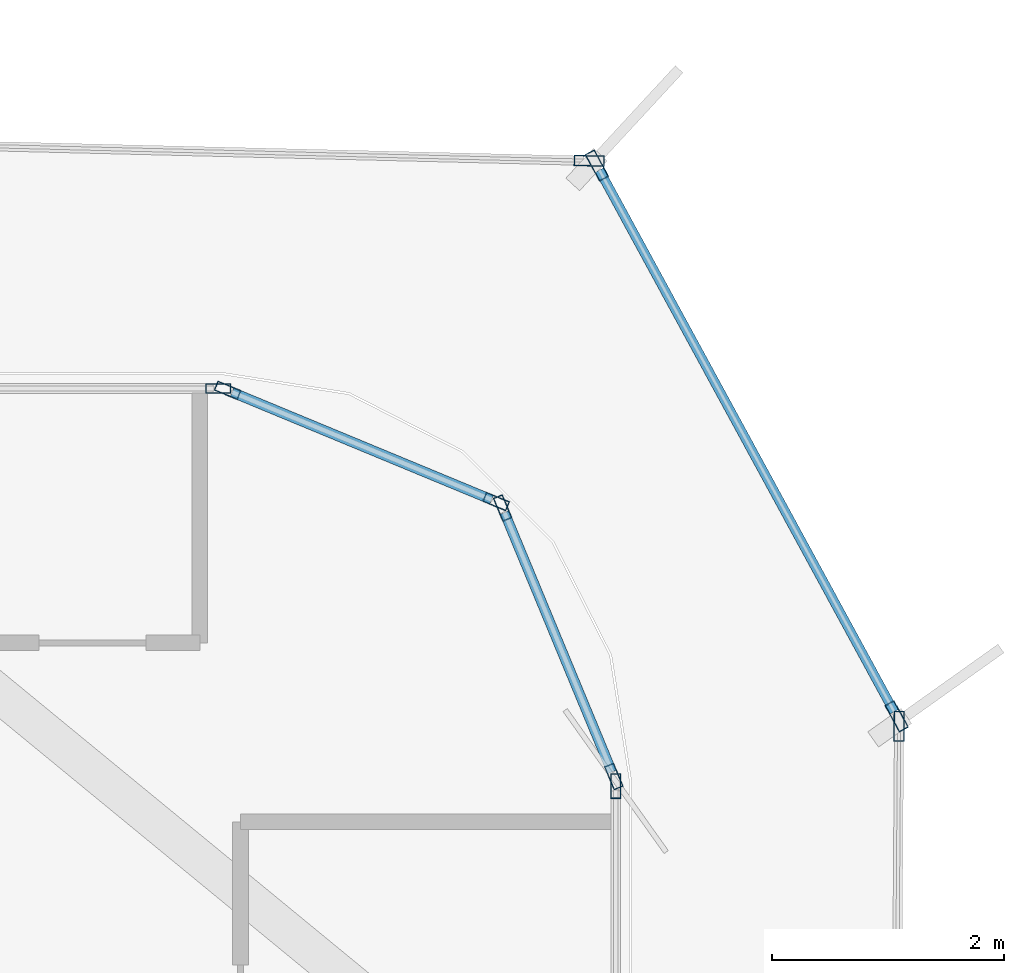
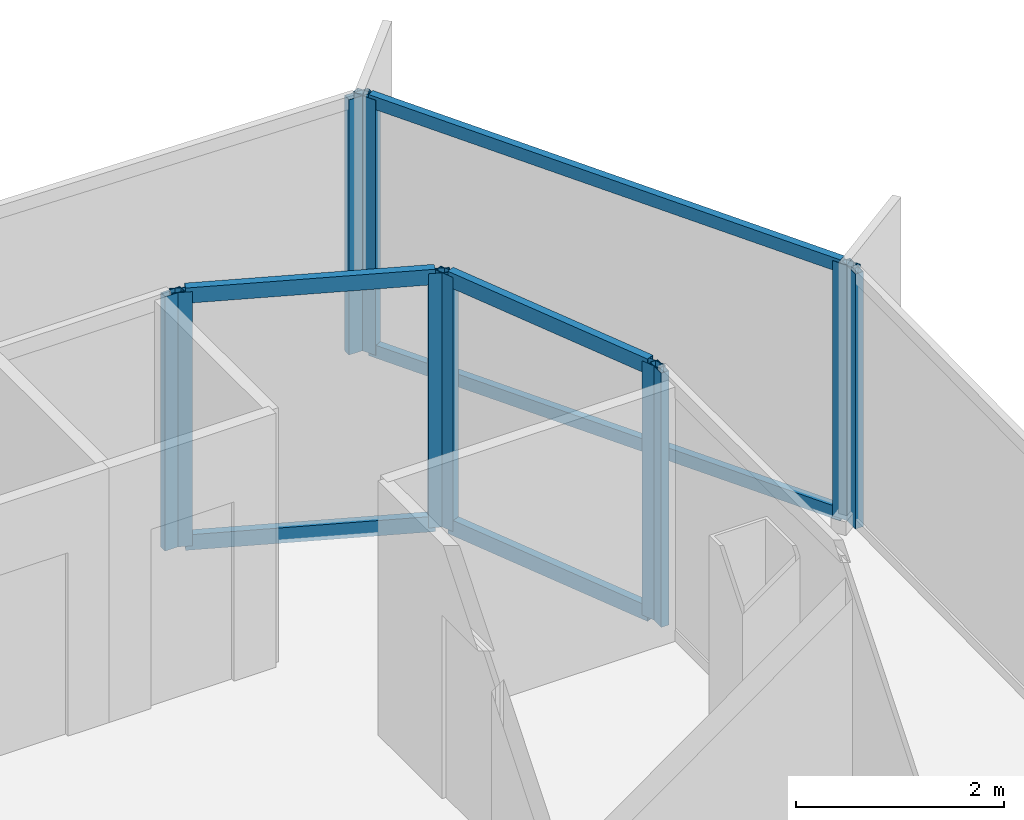
# One storey, part 8 of 15: 16 members, 7 elements without a shape of their own.
"""IFC4 building model written with IfcOpenShell, lengths in metres."""

from ifc_helpers import new_model, si_unit, direction, frame, origin, origin_2d, place, context, subcontext, project, spatial, hollow_rectangle, extrude, source, transform, mapped, material, layer, layer_set, material_profile, profile_set, type_object, element, aggregate, save


model = new_model("IFC4")

# Units and contexts
model_context = context("Model", 3, precision=1e-05, world=origin(), true_north=direction((0.0, 1.0)))
body_context = subcontext(model_context, "Body", "Model", "MODEL_VIEW")
ifc_project = project(units=[si_unit("LENGTHUNIT", "METRE"), si_unit("AREAUNIT", "SQUARE_METRE"), si_unit("VOLUMEUNIT", "CUBIC_METRE"), si_unit("PLANEANGLEUNIT", "RADIAN"), si_unit("MASSUNIT", "GRAM", prefix="KILO")], contexts=[model_context])

# Site, building, storey
site_placement = place(None, origin())
site = spatial("IfcSite", under=ifc_project, at=site_placement, CompositionType="ELEMENT")
building_placement = place(site_placement, origin())
building = spatial("IfcBuilding", under=site, at=building_placement, Name="Kolveth Station Tower", CompositionType="ELEMENT")
storey_placement = place(building_placement, frame((0.0, 0.0, 264.89990234375)))
storey = spatial("IfcBuildingStorey", under=building, at=storey_placement, Name="L76", CompositionType="ELEMENT", Elevation=264.89990234375)

# Curtain wall, member
ifc_material_1 = material(Name="Black anodized aluminium 6063-T6 and dark solar glass", Category="aluminium")
ifc_layer_1 = layer(ifc_material_1, 0.159912109375)
ifc_layer_set_1 = layer_set([ifc_layer_1], Name="Black anodized aluminium 6063-T6 and dark solar glass")
curtain_wall_type_1 = type_object("IfcCurtainWallType", Name="OUTER SKIN CW-OS", PredefinedType="NOTDEFINED", material=ifc_layer_set_1)
curtain_wall_1_placement = place(storey_placement, origin())
curtain_wall_1 = element("IfcCurtainWall", 1, at=curtain_wall_1_placement, inside=storey, type_object=curtain_wall_type_1, Name="L76 Outer Ventilated Skin Curtain Wall 2", PredefinedType="NOTDEFINED")
ifc_material_2 = material(Name="Black anodized aluminium 6063-T6", Category="aluminium")
ifc_material_profile_1 = material_profile(ifc_material_2, hollow_rectangle(XDim=0.090087890625, YDim=0.260009765625, WallThickness=0.0048828125, at=origin_2d()), Name="ALU-90x260x5")
ifc_profile_set_1 = profile_set([ifc_material_profile_1], Name="Black anodized aluminium 6063-T6")
member_type_1 = type_object("IfcMemberType", Name="FIN MULLION ML-OS", PredefinedType="MULLION", material=ifc_profile_set_1)
shared_shape_1 = source(origin(), body_context, "Body", "SweptSolid", [
    extrude(hollow_rectangle(XDim=0.090087890625, YDim=0.260009765625, WallThickness=0.0048828125, at=origin_2d()), origin(), (0.0, 0.0, 1.0), 2.989990234375),
])
member_1_placement = place(storey_placement, frame((44.119873046875, 32.27294921875, 0.0), z_axis=(0.0, 0.0, 1.0), x_axis=(-0.999973767116, 0.007243278258, 0.0)))
member_1 = element("IfcMember", 2, at=member_1_placement, type_object=member_type_1, Name="CW-OS mullion 2", PredefinedType="MULLION", context=body_context, shape_type="MappedRepresentation", body=[
    mapped(shared_shape_1, transform((0.0, 0.0, 0.0), x_axis=(1.0, 0.0, 0.0), y_axis=(0.0, 1.0, 0.0), z_axis=(0.0, 0.0, 1.0), scale=1.0)),
])
aggregate(curtain_wall_1, [member_1])

# Curtain wall, members
curtain_wall_2_placement = place(storey_placement, origin())
curtain_wall_2 = element("IfcCurtainWall", 3, at=curtain_wall_2_placement, inside=storey, type_object=curtain_wall_type_1, Name="L76 Outer Ventilated Skin Curtain Wall 3", PredefinedType="NOTDEFINED")
member_2_placement = place(storey_placement, frame((44.0986328125, 32.357421875, 0.0), z_axis=(0.0, 0.0, 1.0), x_axis=(-0.878348492725, -0.478020841939, 0.0)))
member_2 = element("IfcMember", 4, at=member_2_placement, type_object=member_type_1, Name="CW-OS mullion 1", PredefinedType="MULLION", context=body_context, shape_type="MappedRepresentation", body=[
    mapped(shared_shape_1, transform((0.0, 0.0, 0.0), x_axis=(1.0, 0.0, 0.0), y_axis=(0.0, 1.0, 0.0), z_axis=(0.0, 0.0, 1.0), scale=1.0)),
])
member_3_placement = place(storey_placement, frame((41.51806640625, 37.09912109375, 0.0), z_axis=(0.0, 0.0, 1.0), x_axis=(-0.878348492725, -0.478020841939, 0.0)))
member_3 = element("IfcMember", 5, at=member_3_placement, type_object=member_type_1, Name="CW-OS mullion 2", PredefinedType="MULLION", context=body_context, shape_type="MappedRepresentation", body=[
    mapped(shared_shape_1, transform((0.0, 0.0, 0.0), x_axis=(1.0, 0.0, 0.0), y_axis=(0.0, 1.0, 0.0), z_axis=(0.0, 0.0, 1.0), scale=1.0)),
])

# Curtain wall, member
curtain_wall_3_placement = place(storey_placement, origin())
curtain_wall_3 = element("IfcCurtainWall", 6, at=curtain_wall_3_placement, inside=storey, type_object=curtain_wall_type_1, Name="L76 Outer Ventilated Skin Curtain Wall 4", PredefinedType="NOTDEFINED")
member_4_placement = place(storey_placement, frame((41.45166015625, 37.1396484375, 0.0), z_axis=(0.0, 0.0, 1.0), x_axis=(-0.024427537189, -0.999701603193, 0.0)))
member_4 = element("IfcMember", 7, at=member_4_placement, type_object=member_type_1, Name="CW-OS mullion 1", PredefinedType="MULLION", context=body_context, shape_type="MappedRepresentation", body=[
    mapped(shared_shape_1, transform((0.0, 0.0, 0.0), x_axis=(1.0, 0.0, 0.0), y_axis=(0.0, 1.0, 0.0), z_axis=(0.0, 0.0, 1.0), scale=1.0)),
])
aggregate(curtain_wall_3, [member_4])

ifc_material_3 = material(Name="Aluminium 6063-T6 and triple low-E dark glass", Category="aluminium")
ifc_layer_2 = layer(ifc_material_3, 0.199951171875)
ifc_layer_set_2 = layer_set([ifc_layer_2], Name="Aluminium 6063-T6 and triple low-E dark glass")
curtain_wall_type_2 = type_object("IfcCurtainWallType", Name="CurtainWall_CW-Z3", PredefinedType="NOTDEFINED", material=ifc_layer_set_2)
curtain_wall_4_placement = place(storey_placement, origin())
curtain_wall_4 = element("IfcCurtainWall", 8, at=curtain_wall_4_placement, inside=storey, type_object=curtain_wall_type_2, Name="L76 Inner Thermal Curtain Wall 3", PredefinedType="NOTDEFINED")
ifc_material_profile_2 = material_profile(ifc_material_2, hollow_rectangle(XDim=0.0849609375, YDim=0.215087890625, WallThickness=0.0048828125, at=origin_2d()), Name="ALU-85x215x5")
ifc_profile_set_2 = profile_set([ifc_material_profile_2], Name="Black anodized aluminium 6063-T6")
member_type_2 = type_object("IfcMemberType", Name="Mullion_ML3", PredefinedType="MULLION", material=ifc_profile_set_2)
shared_shape_2 = source(origin(), body_context, "Body", "SweptSolid", [
    extrude(hollow_rectangle(XDim=0.0849609375, YDim=0.215087890625, WallThickness=0.0048828125, at=origin_2d()), origin(), (0.0, 0.0, 1.0), 2.97998046875),
])
member_5_placement = place(storey_placement, frame((41.679931640625, 31.757568359375, 0.0), z_axis=(0.0, 0.0, 1.0), x_axis=(-1.0, 0.0, 0.0)))
member_5 = element("IfcMember", 9, at=member_5_placement, type_object=member_type_2, Name="CW-Z3 mullion 2", PredefinedType="MULLION", context=body_context, shape_type="MappedRepresentation", body=[
    mapped(shared_shape_2, transform((0.0, 0.0, 0.0), x_axis=(1.0, 0.0, 0.0), y_axis=(0.0, 1.0, 0.0), z_axis=(0.0, 0.0, 1.0), scale=1.0)),
])
aggregate(curtain_wall_4, [member_5])

# Curtain wall, members
curtain_wall_5_placement = place(storey_placement, origin())
curtain_wall_5 = element("IfcCurtainWall", 10, at=curtain_wall_5_placement, inside=storey, type_object=curtain_wall_type_2, Name="L76 Inner Thermal Curtain Wall 4", PredefinedType="NOTDEFINED")
member_6_placement = place(storey_placement, frame((41.663818359375, 31.83935546875, 0.0), z_axis=(0.0, 0.0, 1.0), x_axis=(-0.923875488975, -0.382693194181, 0.0)))
member_6 = element("IfcMember", 11, at=member_6_placement, type_object=member_type_2, Name="CW-Z3 mullion 1", PredefinedType="MULLION", context=body_context, shape_type="MappedRepresentation", body=[
    mapped(shared_shape_2, transform((0.0, 0.0, 0.0), x_axis=(1.0, 0.0, 0.0), y_axis=(0.0, 1.0, 0.0), z_axis=(0.0, 0.0, 1.0), scale=1.0)),
])
member_7_placement = place(storey_placement, frame((40.706298828125, 34.150634765625, 0.0), z_axis=(0.0, 0.0, 1.0), x_axis=(-0.923875488975, -0.382693194181, 0.0)))
member_7 = element("IfcMember", 12, at=member_7_placement, type_object=member_type_2, Name="CW-Z3 mullion 2", PredefinedType="MULLION", context=body_context, shape_type="MappedRepresentation", body=[
    mapped(shared_shape_2, transform((0.0, 0.0, 0.0), x_axis=(1.0, 0.0, 0.0), y_axis=(0.0, 1.0, 0.0), z_axis=(0.0, 0.0, 1.0), scale=1.0)),
])

curtain_wall_6_placement = place(storey_placement, origin())
curtain_wall_6 = element("IfcCurtainWall", 13, at=curtain_wall_6_placement, inside=storey, type_object=curtain_wall_type_2, Name="L76 Inner Thermal Curtain Wall 5", PredefinedType="NOTDEFINED")
member_8_placement = place(storey_placement, frame((40.650634765625, 34.206298828125, 0.0), z_axis=(0.0, 0.0, 1.0), x_axis=(-0.382693194181, -0.923875488975, 0.0)))
member_8 = element("IfcMember", 14, at=member_8_placement, type_object=member_type_2, Name="CW-Z3 mullion 1", PredefinedType="MULLION", context=body_context, shape_type="MappedRepresentation", body=[
    mapped(shared_shape_2, transform((0.0, 0.0, 0.0), x_axis=(1.0, 0.0, 0.0), y_axis=(0.0, 1.0, 0.0), z_axis=(0.0, 0.0, 1.0), scale=1.0)),
])
member_9_placement = place(storey_placement, frame((38.33935546875, 35.163818359375, 0.0), z_axis=(0.0, 0.0, 1.0), x_axis=(-0.382693194181, -0.923875488975, 0.0)))
member_9 = element("IfcMember", 15, at=member_9_placement, type_object=member_type_2, Name="CW-Z3 mullion 2", PredefinedType="MULLION", context=body_context, shape_type="MappedRepresentation", body=[
    mapped(shared_shape_2, transform((0.0, 0.0, 0.0), x_axis=(1.0, 0.0, 0.0), y_axis=(0.0, 1.0, 0.0), z_axis=(0.0, 0.0, 1.0), scale=1.0)),
])

# Curtain wall, member
curtain_wall_7_placement = place(storey_placement, origin())
curtain_wall_7 = element("IfcCurtainWall", 16, at=curtain_wall_7_placement, inside=storey, type_object=curtain_wall_type_2, Name="L76 Inner Thermal Curtain Wall 6", PredefinedType="NOTDEFINED")
member_10_placement = place(storey_placement, frame((38.257568359375, 35.179931640625, 0.0), z_axis=(0.0, 0.0, 1.0), x_axis=(0.0, -1.0, 0.0)))
member_10 = element("IfcMember", 17, at=member_10_placement, type_object=member_type_2, Name="CW-Z3 mullion 1", PredefinedType="MULLION", context=body_context, shape_type="MappedRepresentation", body=[
    mapped(shared_shape_2, transform((0.0, 0.0, 0.0), x_axis=(1.0, 0.0, 0.0), y_axis=(0.0, 1.0, 0.0), z_axis=(0.0, 0.0, 1.0), scale=1.0)),
])
aggregate(curtain_wall_7, [member_10])

# Member
ifc_material_profile_3 = material_profile(ifc_material_2, hollow_rectangle(XDim=0.0849609375, YDim=0.179931640625, WallThickness=0.0048828125, at=origin_2d()), Name="ALU-85x180x5")
ifc_profile_set_3 = profile_set([ifc_material_profile_3], Name="Black anodized aluminium 6063-T6")
member_type_3 = type_object("IfcMemberType", Name="Transom_TR3", PredefinedType="USERDEFINED", material=ifc_profile_set_3)
shared_shape_3 = source(origin(), body_context, "Body", "SweptSolid", [
    extrude(hollow_rectangle(XDim=0.0849609375, YDim=0.179931640625, WallThickness=0.0048828125, at=origin_2d()), origin(), (0.0, 0.0, 1.0), 2.417236328125),
])
member_11_placement = place(storey_placement, frame((41.6474609375, 31.87841796875, 0.04248046875), z_axis=(-0.382699687013, 0.923872799448, 0.0), x_axis=(-0.923872799448, -0.382699687013, 0.0)))
member_11 = element("IfcMember", 18, at=member_11_placement, type_object=member_type_3, Name="CW-Z3 transom 1.1", ObjectType="TRANSOM", PredefinedType="USERDEFINED", context=body_context, shape_type="MappedRepresentation", body=[
    mapped(shared_shape_3, transform((0.0, 0.0, 0.0), x_axis=(1.0, 0.0, 0.0), y_axis=(0.0, 1.0, 0.0), z_axis=(0.0, 0.0, 1.0), scale=1.0)),
])

member_12_placement = place(storey_placement, frame((41.6474609375, 31.87841796875, 2.9375), z_axis=(-0.382699687013, 0.923872799448, 0.0), x_axis=(-0.923872799448, -0.382699687013, 0.0)))
member_12 = element("IfcMember", 19, at=member_12_placement, type_object=member_type_3, Name="CW-Z3 transom 1.2", ObjectType="TRANSOM", PredefinedType="USERDEFINED", context=body_context, shape_type="MappedRepresentation", body=[
    mapped(shared_shape_3, transform((0.0, 0.0, 0.0), x_axis=(1.0, 0.0, 0.0), y_axis=(0.0, 1.0, 0.0), z_axis=(0.0, 0.0, 1.0), scale=1.0)),
])

aggregate(curtain_wall_5, [member_6, member_7, member_11, member_12])

member_13_placement = place(storey_placement, frame((40.611572265625, 34.222412109375, 0.04248046875), z_axis=(-0.923872799448, 0.382699687013, 0.0), x_axis=(-0.382699687013, -0.923872799448, 0.0)))
member_13 = element("IfcMember", 20, at=member_13_placement, type_object=member_type_3, Name="CW-Z3 transom 1.1", ObjectType="TRANSOM", PredefinedType="USERDEFINED", context=body_context, shape_type="MappedRepresentation", body=[
    mapped(shared_shape_3, transform((0.0, 0.0, 0.0), x_axis=(1.0, 0.0, 0.0), y_axis=(0.0, 1.0, 0.0), z_axis=(0.0, 0.0, 1.0), scale=1.0)),
])

member_14_placement = place(storey_placement, frame((40.611572265625, 34.222412109375, 2.9375), z_axis=(-0.923872799448, 0.382699687013, 0.0), x_axis=(-0.382699687013, -0.923872799448, 0.0)))
member_14 = element("IfcMember", 21, at=member_14_placement, type_object=member_type_3, Name="CW-Z3 transom 1.2", ObjectType="TRANSOM", PredefinedType="USERDEFINED", context=body_context, shape_type="MappedRepresentation", body=[
    mapped(shared_shape_3, transform((0.0, 0.0, 0.0), x_axis=(1.0, 0.0, 0.0), y_axis=(0.0, 1.0, 0.0), z_axis=(0.0, 0.0, 1.0), scale=1.0)),
])

aggregate(curtain_wall_6, [member_8, member_9, member_13, member_14])

ifc_material_profile_4 = material_profile(ifc_material_2, hollow_rectangle(XDim=0.080078125, YDim=0.14990234375, WallThickness=0.0048828125, at=origin_2d()), Name="ALU-80x150x5")
ifc_profile_set_4 = profile_set([ifc_material_profile_4], Name="Black anodized aluminium 6063-T6")
member_type_4 = type_object("IfcMemberType", Name="Transom_TR-OS", PredefinedType="USERDEFINED", material=ifc_profile_set_4)
shared_shape_4 = source(origin(), body_context, "Body", "SweptSolid", [
    extrude(hollow_rectangle(XDim=0.080078125, YDim=0.14990234375, WallThickness=0.0048828125, at=origin_2d()), origin(), (0.0, 0.0, 1.0), 5.308349609375),
])
member_15_placement = place(storey_placement, frame((44.0771484375, 32.39697265625, 0.0400390625), z_axis=(-0.478033453398, 0.878341629113, 0.0), x_axis=(-0.878341629113, -0.478033453398, 0.0)))
member_15 = element("IfcMember", 22, at=member_15_placement, type_object=member_type_4, Name="CW-OS transom 1.1", ObjectType="TRANSOM", PredefinedType="USERDEFINED", context=body_context, shape_type="MappedRepresentation", body=[
    mapped(shared_shape_4, transform((0.0, 0.0, 0.0), x_axis=(1.0, 0.0, 0.0), y_axis=(0.0, 1.0, 0.0), z_axis=(0.0, 0.0, 1.0), scale=1.0)),
])

member_16_placement = place(storey_placement, frame((44.0771484375, 32.39697265625, 2.9501953125), z_axis=(-0.478033453398, 0.878341629113, 0.0), x_axis=(-0.878341629113, -0.478033453398, 0.0)))
member_16 = element("IfcMember", 23, at=member_16_placement, type_object=member_type_4, Name="CW-OS transom 1.2", ObjectType="TRANSOM", PredefinedType="USERDEFINED", context=body_context, shape_type="MappedRepresentation", body=[
    mapped(shared_shape_4, transform((0.0, 0.0, 0.0), x_axis=(1.0, 0.0, 0.0), y_axis=(0.0, 1.0, 0.0), z_axis=(0.0, 0.0, 1.0), scale=1.0)),
])

aggregate(curtain_wall_2, [member_2, member_3, member_15, member_16])

save(model, "model.ifc")
